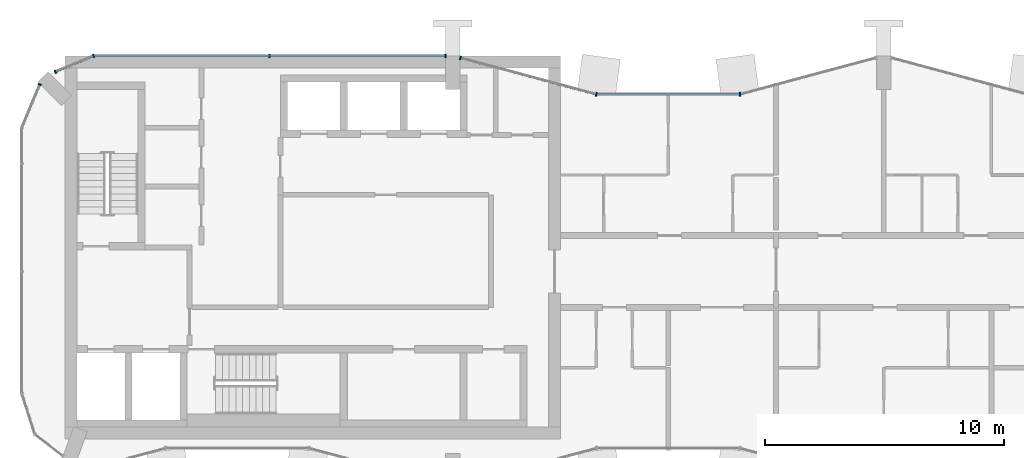
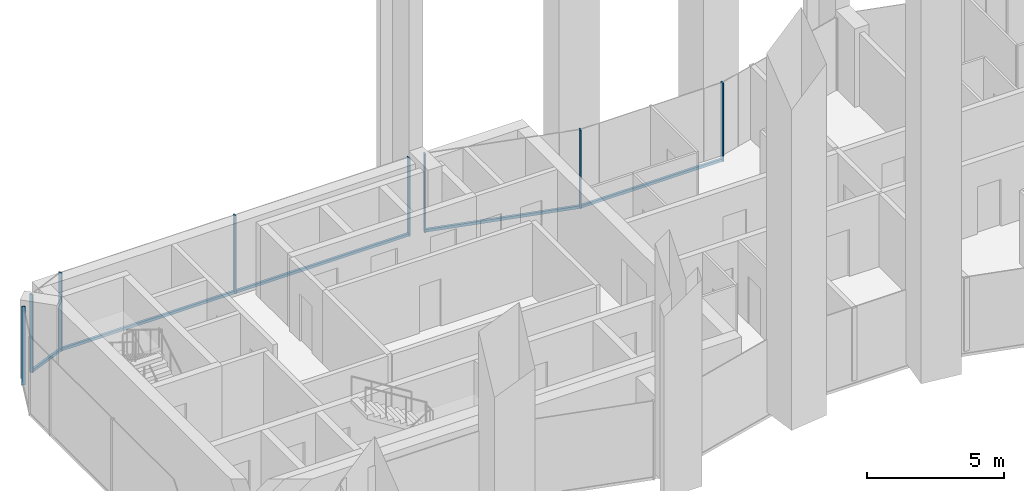
# One storey, part 4 of 11: 12 members, 5 elements without a shape of their own.
"""IFC4 building model written with IfcOpenShell, lengths in metres."""

from ifc_helpers import new_model, si_unit, direction, frame, origin, origin_2d, place, context, subcontext, project, spatial, rectangle, extrude, material, layer, layer_set, material_profile, profile_set, type_object, element, aggregate, save


model = new_model("IFC4")

# Units and contexts
model_context = context("Model", 3, precision=1e-05, world=origin(), true_north=direction((0.0, 1.0)))
body_context = subcontext(model_context, "Body", "Model", "MODEL_VIEW")
ifc_project = project(units=[si_unit("LENGTHUNIT", "METRE"), si_unit("AREAUNIT", "SQUARE_METRE"), si_unit("VOLUMEUNIT", "CUBIC_METRE"), si_unit("PLANEANGLEUNIT", "RADIAN"), si_unit("MASSUNIT", "GRAM", prefix="KILO")], contexts=[model_context])

# Site, building, storey
site_placement = place(None, origin())
site = spatial("IfcSite", under=ifc_project, at=site_placement, CompositionType="ELEMENT")
building_placement = place(site_placement, origin())
building = spatial("IfcBuilding", under=site, at=building_placement, Name="Plateau Cross Towers", CompositionType="ELEMENT")
storey_placement = place(building_placement, frame((0.0, 0.0, 242.39990234375)))
storey = spatial("IfcBuildingStorey", under=building, at=storey_placement, Name="L63", CompositionType="ELEMENT", Elevation=242.39990234375)

# Curtain wall, members
ifc_material_1 = material(Name="Dark low-iron glass", Category="glass")
ifc_layer_1 = layer(ifc_material_1, 0.239990234375)
ifc_layer_set_1 = layer_set([ifc_layer_1], Name="Dark low-iron glass")
curtain_wall_type_1 = type_object("IfcCurtainWallType", Name="Curtain wall flush unitised CW-B", PredefinedType="NOTDEFINED", material=ifc_layer_set_1)
curtain_wall_1_placement = place(storey_placement, origin())
curtain_wall_1 = element("IfcCurtainWall", 1, at=curtain_wall_1_placement, inside=storey, type_object=curtain_wall_type_1, Name="ENV/A/L63/A177_180", PredefinedType="NOTDEFINED")
ifc_material_2 = material(Name="Black anodised aluminium", Category="aluminium")
ifc_material_profile_1 = material_profile(ifc_material_2, rectangle(XDim=0.06005859375, YDim=0.139892578125, at=origin_2d()), Name="MULLION 60x140")
ifc_profile_set_1 = profile_set([ifc_material_profile_1], Name="Black anodised aluminium")
member_type_1 = type_object("IfcMemberType", Name="Mullion 60x140 flush unitised", PredefinedType="MULLION", material=ifc_profile_set_1)
member_1_placement = place(storey_placement, frame((17.699951171875, 18.0, -0.25), z_axis=(0.0, 0.0, 1.0), x_axis=(-1.0, 0.0, 0.0)))
member_1 = element("IfcMember", 2, at=member_1_placement, type_object=member_type_1, Name="CW-B mullion 1", PredefinedType="MULLION", context=body_context, shape_type="SweptSolid", body=[
    extrude(rectangle(XDim=0.06005859375, YDim=0.139892578125, at=origin_2d()), origin(), (0.0, 0.0, 1.0), 3.5),
])
member_2_placement = place(storey_placement, frame((10.35009765625, 18.0, -0.25), z_axis=(0.0, 0.0, 1.0), x_axis=(-1.0, 0.0, 0.0)))
member_2 = element("IfcMember", 3, at=member_2_placement, type_object=member_type_1, Name="CW-B mullion 2", PredefinedType="MULLION", context=body_context, shape_type="SweptSolid", body=[
    extrude(rectangle(XDim=0.06005859375, YDim=0.139892578125, at=origin_2d()), origin(), (0.0, 0.0, 1.0), 3.5),
])

curtain_wall_2_placement = place(storey_placement, origin())
curtain_wall_2 = element("IfcCurtainWall", 4, at=curtain_wall_2_placement, inside=storey, type_object=curtain_wall_type_1, Name="ENV/A/L63/A30_180", PredefinedType="NOTDEFINED")
member_3_placement = place(storey_placement, frame((3.0, 18.0, -0.25), z_axis=(0.0, 0.0, 1.0), x_axis=(-0.923879457699, -0.382683612978, 0.0)))
member_3 = element("IfcMember", 5, at=member_3_placement, type_object=member_type_1, Name="CW-B mullion 1", PredefinedType="MULLION", context=body_context, shape_type="SweptSolid", body=[
    extrude(rectangle(XDim=0.06005859375, YDim=0.139892578125, at=origin_2d()), origin(), (0.0, 0.0, 1.0), 3.5),
])
member_4_placement = place(storey_placement, frame((1.4033203125, 17.338623046875, -0.25), z_axis=(0.0, 0.0, 1.0), x_axis=(-0.923879457699, -0.382683612978, 0.0)))
member_4 = element("IfcMember", 6, at=member_4_placement, type_object=member_type_1, Name="CW-B mullion 2", PredefinedType="MULLION", context=body_context, shape_type="SweptSolid", body=[
    extrude(rectangle(XDim=0.06005859375, YDim=0.139892578125, at=origin_2d()), origin(), (0.0, 0.0, 1.0), 3.5),
])

# Curtain wall, member
curtain_wall_3_placement = place(storey_placement, origin())
curtain_wall_3 = element("IfcCurtainWall", 7, at=curtain_wall_3_placement, inside=storey, type_object=curtain_wall_type_1, Name="ENV/A/L63/A7_168", PredefinedType="NOTDEFINED")
member_5_placement = place(storey_placement, frame((0.748046875, 16.805908203125, -0.25), z_axis=(0.0, 0.0, 1.0), x_axis=(-0.382683612978, -0.923879457699, 0.0)))
member_5 = element("IfcMember", 8, at=member_5_placement, type_object=member_type_1, Name="CW-B mullion 1", PredefinedType="MULLION", context=body_context, shape_type="SweptSolid", body=[
    extrude(rectangle(XDim=0.06005859375, YDim=0.139892578125, at=origin_2d()), origin(), (0.0, 0.0, 1.0), 3.5),
])
aggregate(curtain_wall_3, [member_5])

ifc_layer_2 = layer(ifc_material_1, 0.260009765625)
ifc_layer_set_2 = layer_set([ifc_layer_2], Name="Dark low-iron glass")
curtain_wall_type_2 = type_object("IfcCurtainWallType", Name="Curtain wall fluted unitised CW-A", PredefinedType="NOTDEFINED", material=ifc_layer_set_2)
curtain_wall_4_placement = place(storey_placement, origin())
curtain_wall_4 = element("IfcCurtainWall", 9, at=curtain_wall_4_placement, inside=storey, type_object=curtain_wall_type_2, Name="ENV/A/L63/A300_164", PredefinedType="NOTDEFINED")
ifc_material_profile_2 = material_profile(ifc_material_2, rectangle(XDim=0.06005859375, YDim=0.159912109375, at=origin_2d()), Name="MULLION 60x160")
ifc_profile_set_2 = profile_set([ifc_material_profile_2], Name="Black anodised aluminium")
member_type_2 = type_object("IfcMemberType", Name="Mullion 60x160 fluted unitised", PredefinedType="MULLION", material=ifc_profile_set_2)
member_6_placement = place(storey_placement, frame((30.0, 16.39306640625, -0.25), z_axis=(0.0, 0.0, 1.0), x_axis=(-1.0, 0.0, 0.0)))
member_6 = element("IfcMember", 10, at=member_6_placement, type_object=member_type_2, Name="CW-A mullion 1", PredefinedType="MULLION", context=body_context, shape_type="SweptSolid", body=[
    extrude(rectangle(XDim=0.06005859375, YDim=0.159912109375, at=origin_2d()), origin(), (0.0, 0.0, 1.0), 3.5),
])

# Curtain wall, members
curtain_wall_5_placement = place(storey_placement, origin())
curtain_wall_5 = element("IfcCurtainWall", 11, at=curtain_wall_5_placement, inside=storey, type_object=curtain_wall_type_2, Name="ENV/A/L63/A240_164", PredefinedType="NOTDEFINED")
member_7_placement = place(storey_placement, frame((24.0, 16.39306640625, -0.25), z_axis=(0.0, 0.0, 1.0), x_axis=(-0.965957983404, 0.258699003279, 0.0)))
member_7 = element("IfcMember", 12, at=member_7_placement, type_object=member_type_2, Name="CW-A mullion 1", PredefinedType="MULLION", context=body_context, shape_type="SweptSolid", body=[
    extrude(rectangle(XDim=0.06005859375, YDim=0.159912109375, at=origin_2d()), origin(), (0.0, 0.0, 1.0), 3.5),
])
member_8_placement = place(storey_placement, frame((18.31787109375, 17.914794921875, -0.25), z_axis=(0.0, 0.0, 1.0), x_axis=(-0.965957983404, 0.258699003279, 0.0)))
member_8 = element("IfcMember", 13, at=member_8_placement, type_object=member_type_2, Name="CW-A mullion 2", PredefinedType="MULLION", context=body_context, shape_type="SweptSolid", body=[
    extrude(rectangle(XDim=0.06005859375, YDim=0.159912109375, at=origin_2d()), origin(), (0.0, 0.0, 1.0), 3.5),
])

# Member
ifc_material_profile_3 = material_profile(ifc_material_2, rectangle(XDim=0.10009765625, YDim=0.1201171875, at=origin_2d()), Name="TRANSOM 100x120")
ifc_profile_set_3 = profile_set([ifc_material_profile_3], Name="Black anodised aluminium")
member_type_3 = type_object("IfcMemberType", Name="Transom 100x120 flush unitised", PredefinedType="USERDEFINED", material=ifc_profile_set_3)
member_9_placement = place(storey_placement, frame((17.699951171875, 18.0, -0.18994140625), z_axis=(-1.0, 0.0, 0.0), x_axis=(0.0, -1.0, 0.0)))
member_9 = element("IfcMember", 14, at=member_9_placement, type_object=member_type_3, Name="CW-B transom", ObjectType="TRANSOM", PredefinedType="USERDEFINED", context=body_context, shape_type="SweptSolid", body=[
    extrude(rectangle(XDim=0.10009765625, YDim=0.1201171875, at=origin_2d()), origin(), (0.0, 0.0, 1.0), 14.699951171875),
])

aggregate(curtain_wall_1, [member_1, member_2, member_9])

member_10_placement = place(storey_placement, frame((3.0, 18.0, -0.18994140625), z_axis=(-0.923877369776, -0.382688653628, 0.0), x_axis=(0.382688653628, -0.923877369776, 0.0)))
member_10 = element("IfcMember", 15, at=member_10_placement, type_object=member_type_3, Name="CW-B transom", ObjectType="TRANSOM", PredefinedType="USERDEFINED", context=body_context, shape_type="SweptSolid", body=[
    extrude(rectangle(XDim=0.10009765625, YDim=0.1201171875, at=origin_2d()), origin(), (0.0, 0.0, 1.0), 1.728271484375),
])

aggregate(curtain_wall_2, [member_3, member_4, member_10])

ifc_material_profile_4 = material_profile(ifc_material_2, rectangle(XDim=0.10009765625, YDim=0.1201171875, at=origin_2d()), Name="TRANSOM 100x120")
ifc_profile_set_4 = profile_set([ifc_material_profile_4], Name="Black anodised aluminium")
member_type_4 = type_object("IfcMemberType", Name="Transom 100x120 fluted unitised", PredefinedType="USERDEFINED", material=ifc_profile_set_4)
member_11_placement = place(storey_placement, frame((30.0, 16.39306640625, -0.18994140625), z_axis=(-1.0, 0.0, 0.0), x_axis=(0.0, -1.0, 0.0)))
member_11 = element("IfcMember", 16, at=member_11_placement, type_object=member_type_4, Name="CW-A transom", ObjectType="TRANSOM", PredefinedType="USERDEFINED", context=body_context, shape_type="SweptSolid", body=[
    extrude(rectangle(XDim=0.10009765625, YDim=0.1201171875, at=origin_2d()), origin(), (0.0, 0.0, 1.0), 6.0),
])

aggregate(curtain_wall_4, [member_6, member_11])

member_12_placement = place(storey_placement, frame((24.0, 16.39306640625, -0.18994140625), z_axis=(-0.965959534794, 0.258693210465, 0.0), x_axis=(-0.258693210465, -0.965959534794, 0.0)))
member_12 = element("IfcMember", 17, at=member_12_placement, type_object=member_type_4, Name="CW-A transom", ObjectType="TRANSOM", PredefinedType="USERDEFINED", context=body_context, shape_type="SweptSolid", body=[
    extrude(rectangle(XDim=0.10009765625, YDim=0.1201171875, at=origin_2d()), origin(), (0.0, 0.0, 1.0), 5.88232421875),
])

aggregate(curtain_wall_5, [member_7, member_8, member_12])

save(model, "model.ifc")
